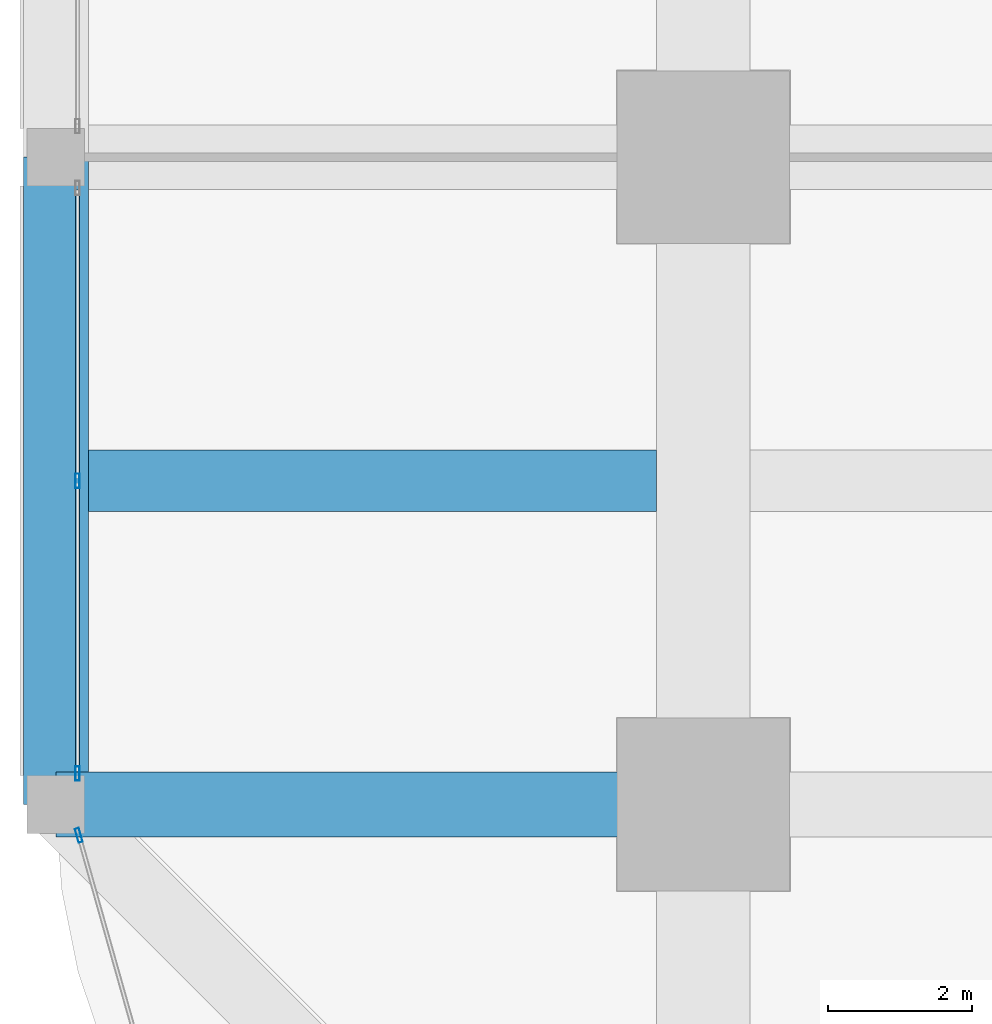
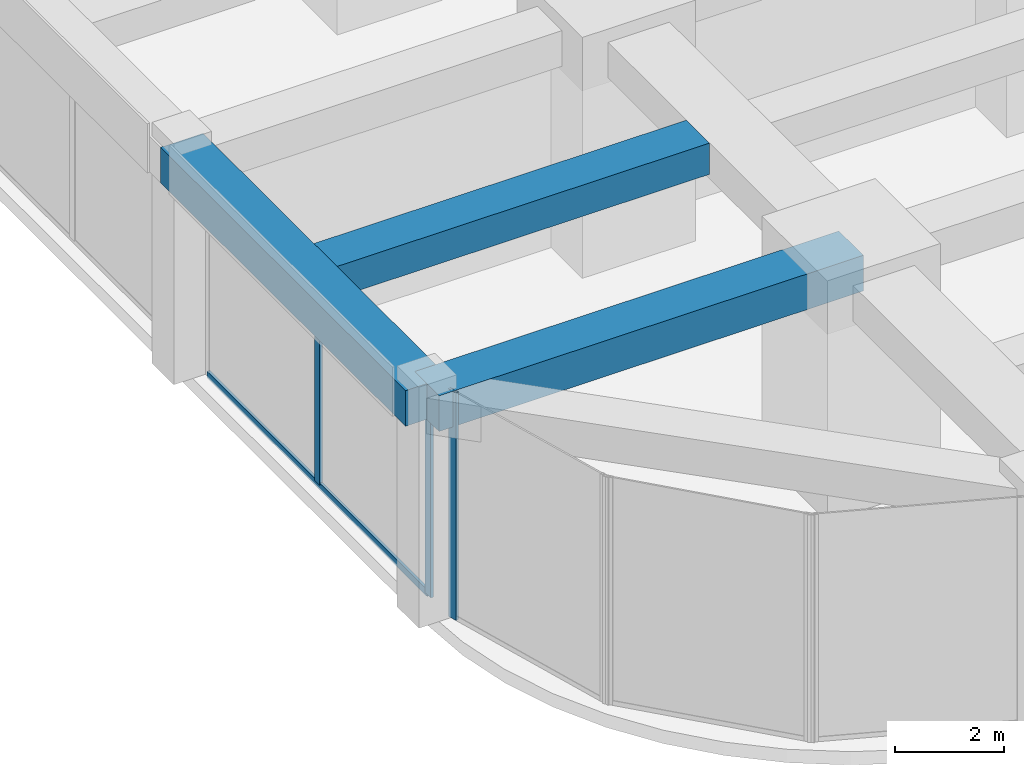
# One storey, part 4 of 45: 4 members, 3 beams, 2 elements without a shape of their own.
"""IFC4 building model written with IfcOpenShell, lengths in metres."""

from ifc_helpers import new_model, si_unit, direction, frame, origin, origin_2d, place, context, subcontext, project, spatial, rectangle, hollow_rectangle, extrude, material, material_profile, profile_set, type_object, element, aggregate, save


model = new_model("IFC4")

# Units and contexts
model_context = context("Model", 3, precision=1e-05, world=origin(), true_north=direction((0.0, 1.0)))
body_context = subcontext(model_context, "Body", "Model", "MODEL_VIEW")
ifc_project = project(units=[si_unit("LENGTHUNIT", "METRE"), si_unit("AREAUNIT", "SQUARE_METRE"), si_unit("VOLUMEUNIT", "CUBIC_METRE"), si_unit("PLANEANGLEUNIT", "RADIAN"), si_unit("MASSUNIT", "GRAM", prefix="KILO")], contexts=[model_context])

# Site, building, storey
site_placement = place(None, origin())
site = spatial("IfcSite", under=ifc_project, at=site_placement, CompositionType="ELEMENT")
building_placement = place(site_placement, origin())
building = spatial("IfcBuilding", under=site, at=building_placement, Name="Zorevar Civic Tower", CompositionType="ELEMENT")
storey_placement = place(building_placement, frame((0.0, 0.0, 5.39990234375)))
storey = spatial("IfcBuildingStorey", under=building, at=storey_placement, Name="L01", CompositionType="ELEMENT", Elevation=5.39990234375)

# Beams
ifc_material_1 = material(Name="Concrete C50/60", Category="concrete")
ifc_material_profile_1 = material_profile(ifc_material_1, rectangle(XDim=0.85009765625, YDim=0.699951171875, at=origin_2d()), Name="RC 850x700")
ifc_profile_set_1 = profile_set([ifc_material_profile_1], Name="Concrete C50/60")
beam_type_1 = type_object("IfcBeamType", Name="Beam RC 850x700", PredefinedType="BEAM", material=ifc_profile_set_1)
beam_1_placement = place(storey_placement, frame((-8.550048828125, 13.5, 4.75), z_axis=(1.0, 0.0, 0.0), x_axis=(0.0, 1.0, 0.0)))
element("IfcBeam", 1, at=beam_1_placement, inside=storey, type_object=beam_type_1, Name="Secondary beam L02", PredefinedType="BEAM", context=body_context, shape_type="SweptSolid", body=[
    extrude(rectangle(XDim=0.85009765625, YDim=0.699951171875, at=origin_2d()), origin(), (0.0, 0.0, 1.0), 7.900146484375),
])
ifc_material_2 = material(Name="Concrete C50/60", Category="concrete")
ifc_material_profile_2 = material_profile(ifc_material_2, rectangle(XDim=0.89990234375, YDim=0.800048828125, at=origin_2d()), Name="RC 900x800")
ifc_profile_set_2 = profile_set([ifc_material_profile_2], Name="Concrete C50/60")
beam_type_2 = type_object("IfcBeamType", Name="Beam RC 900x800", PredefinedType="BEAM", material=ifc_profile_set_2)
beam_2_placement = place(storey_placement, frame((-9.0, 9.0, 4.7001953125), z_axis=(1.0, 0.0, 0.0), x_axis=(0.0, 1.0, 0.0)))
element("IfcBeam", 2, at=beam_2_placement, inside=storey, type_object=beam_type_2, Name="Girder L02", PredefinedType="BEAM", context=body_context, shape_type="SweptSolid", body=[
    extrude(rectangle(XDim=0.89990234375, YDim=0.800048828125, at=origin_2d()), origin(), (0.0, 0.0, 1.0), 9.0),
])

# Curtain wall, members
ifc_material_3 = material(Name="Dark grey solar-control glass in black aluminium frame", Category="aluminium")
curtain_wall_type = type_object("IfcCurtainWallType", Name="Curtain wall CW1 podium", PredefinedType="NOTDEFINED", material=ifc_material_3)
curtain_wall_1_placement = place(storey_placement, origin())
curtain_wall_1 = element("IfcCurtainWall", 3, at=curtain_wall_1_placement, inside=storey, type_object=curtain_wall_type, Name="CW1 L01", PredefinedType="NOTDEFINED")
ifc_material_4 = material(Name="Aluminium, black anodised", Category="aluminium")
ifc_material_profile_3 = material_profile(ifc_material_4, hollow_rectangle(XDim=0.06005859375, YDim=0.199951171875, WallThickness=0.00390625, at=origin_2d()), Name="AL 200x60x4")
ifc_profile_set_3 = profile_set([ifc_material_profile_3], Name="Aluminium, black anodised")
member_type_1 = type_object("IfcMemberType", Name="CW1 mullion AL 200x60x4", PredefinedType="MULLION", material=ifc_profile_set_3)
member_1_placement = place(storey_placement, frame((-8.699951171875, 9.429931640625, 0.0), z_axis=(0.0, 0.0, 1.0), x_axis=(-1.0, 0.0, 0.0)))
member_1 = element("IfcMember", 4, at=member_1_placement, type_object=member_type_1, Name="CW1 mullion 1", PredefinedType="MULLION", context=body_context, shape_type="SweptSolid", body=[
    extrude(hollow_rectangle(XDim=0.06005859375, YDim=0.199951171875, WallThickness=0.00390625, at=origin_2d()), origin(), (0.0, 0.0, 1.0), 4.300048828125),
])
member_2_placement = place(storey_placement, frame((-8.699951171875, 13.5, 0.06005859375), z_axis=(0.0, 0.0, 1.0), x_axis=(-1.0, 0.0, 0.0)))
member_2 = element("IfcMember", 5, at=member_2_placement, type_object=member_type_1, Name="CW1 mullion 2", PredefinedType="MULLION", context=body_context, shape_type="SweptSolid", body=[
    extrude(hollow_rectangle(XDim=0.06005859375, YDim=0.199951171875, WallThickness=0.00390625, at=origin_2d()), origin(), (0.0, 0.0, 1.0), 4.239990234375),
])

# Curtain wall, member
curtain_wall_2_placement = place(storey_placement, origin())
curtain_wall_2 = element("IfcCurtainWall", 6, at=curtain_wall_2_placement, inside=storey, type_object=curtain_wall_type, Name="CW1 L01", PredefinedType="NOTDEFINED")
member_3_placement = place(storey_placement, frame((-8.6826171875, 8.571044921875, 0.0), z_axis=(0.0, 0.0, 1.0), x_axis=(0.962390725943, 0.271669082929, 0.0)))
member_3 = element("IfcMember", 7, at=member_3_placement, type_object=member_type_1, Name="CW1 mullion 1", PredefinedType="MULLION", context=body_context, shape_type="SweptSolid", body=[
    extrude(hollow_rectangle(XDim=0.06005859375, YDim=0.199951171875, WallThickness=0.00390625, at=origin_2d()), origin(), (0.0, 0.0, 1.0), 5.10009765625),
])
aggregate(curtain_wall_2, [member_3])

# Member
ifc_material_5 = material(Name="Aluminium, black anodised", Category="aluminium")
ifc_material_profile_4 = material_profile(ifc_material_5, hollow_rectangle(XDim=0.06005859375, YDim=0.14990234375, WallThickness=0.00390625, at=origin_2d()), Name="AL 150x60x4")
ifc_profile_set_4 = profile_set([ifc_material_profile_4], Name="Aluminium, black anodised")
member_type_2 = type_object("IfcMemberType", Name="CW1 transom AL 150x60x4", PredefinedType="USERDEFINED", material=ifc_profile_set_4)
member_4_placement = place(storey_placement, frame((-8.699951171875, 9.4599609375, 0.030029296875), z_axis=(0.0, 1.0, 0.0), x_axis=(-1.0, 0.0, 0.0)))
member_4 = element("IfcMember", 8, at=member_4_placement, type_object=member_type_2, Name="CW1 sill transom", ObjectType="TRANSOM", PredefinedType="USERDEFINED", context=body_context, shape_type="SweptSolid", body=[
    extrude(hollow_rectangle(XDim=0.06005859375, YDim=0.14990234375, WallThickness=0.00390625, at=origin_2d()), origin(), (0.0, 0.0, 1.0), 8.080078125),
])

aggregate(curtain_wall_1, [member_1, member_2, member_4])

# Beam
ifc_material_6 = material(Name="Concrete C50/60", Category="concrete")
ifc_material_profile_5 = material_profile(ifc_material_6, rectangle(XDim=0.89990234375, YDim=0.800048828125, at=origin_2d()), Name="RC 900x800")
ifc_profile_set_5 = profile_set([ifc_material_profile_5], Name="Concrete C50/60")
beam_type_3 = type_object("IfcBeamType", Name="Edge beam RC 900x800", PredefinedType="SPANDREL", material=ifc_profile_set_5)
beam_3_placement = place(storey_placement, frame((-9.0, 9.0, 4.7001953125), z_axis=(0.0, 1.0, 0.0), x_axis=(-1.0, 0.0, 0.0)))
element("IfcBeam", 9, at=beam_3_placement, inside=storey, type_object=beam_type_3, Name="Edge beam L02", PredefinedType="SPANDREL", context=body_context, shape_type="SweptSolid", body=[
    extrude(rectangle(XDim=0.89990234375, YDim=0.800048828125, at=origin_2d()), origin(), (0.0, 0.0, 1.0), 9.0),
])

save(model, "model.ifc")
